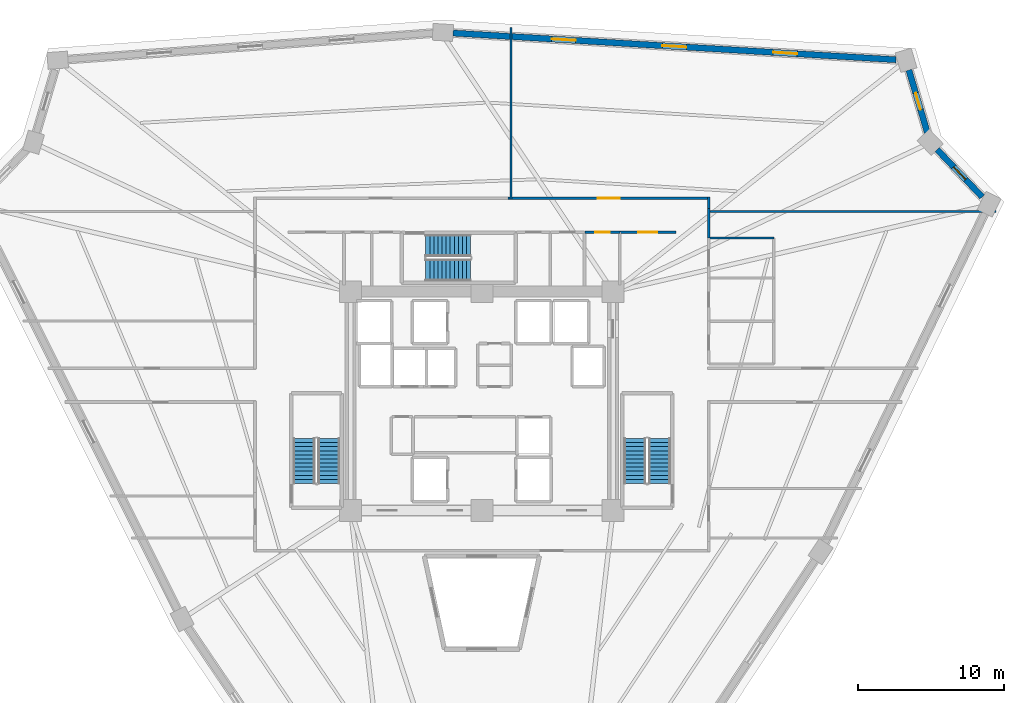
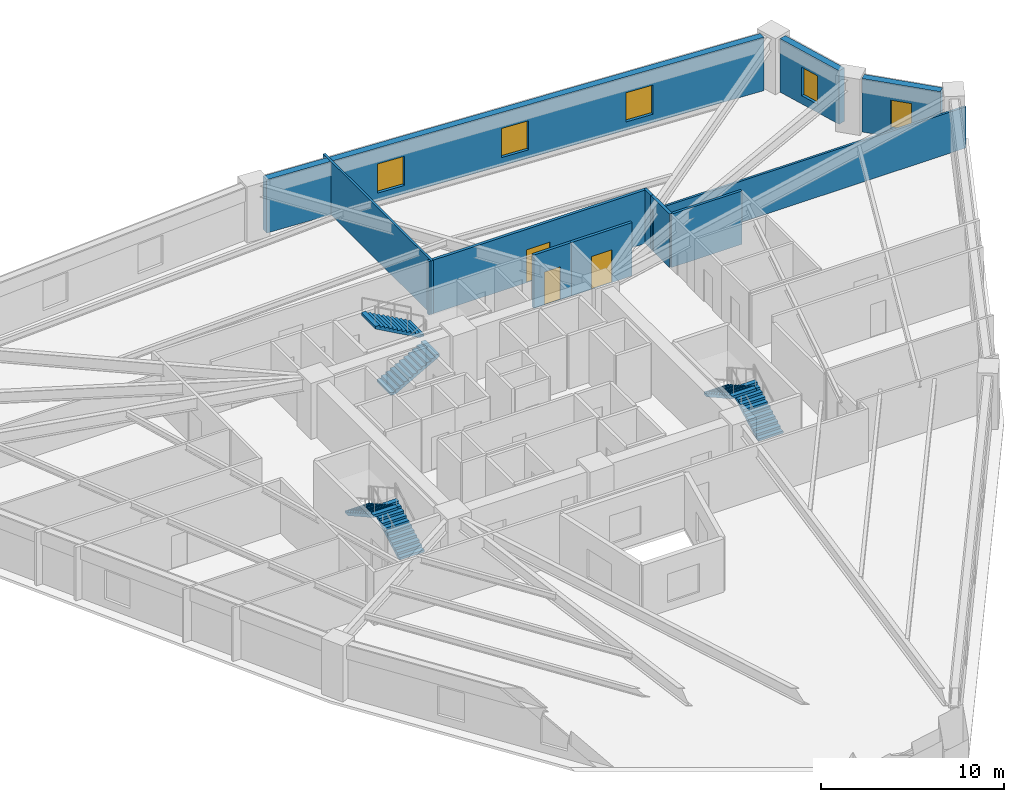
# One storey, part 7 of 8: 11 walls, 6 stair flights, 5 windows, 3 doors, 8 openings, 3 elements without a shape of their own.
"""IFC4 building model written with IfcOpenShell, lengths in metres."""

from ifc_helpers import new_model, si_unit, direction, frame, frame_2d, origin, place, context, subcontext, project, spatial, polyline, rectangle, outline, extrude, source, transform, mapped, material, layer, layer_set, type_object, element, fill, aggregate, save


model = new_model("IFC4")

# Units and contexts
model_context = context("Model", 3, precision=1e-05, world=origin(), true_north=direction((0.0, 1.0)))
body_context = subcontext(model_context, "Body", "Model", "MODEL_VIEW")
ifc_project = project(units=[si_unit("LENGTHUNIT", "METRE"), si_unit("AREAUNIT", "SQUARE_METRE"), si_unit("VOLUMEUNIT", "CUBIC_METRE"), si_unit("PLANEANGLEUNIT", "RADIAN"), si_unit("MASSUNIT", "GRAM", prefix="KILO")], contexts=[model_context])

# Site, building, storey
site_placement = place(None, origin())
site = spatial("IfcSite", under=ifc_project, at=site_placement, CompositionType="ELEMENT")
building_placement = place(site_placement, origin())
building = spatial("IfcBuilding", under=site, at=building_placement, Name="Liaohun Quay Tower", CompositionType="ELEMENT")
storey_placement = place(building_placement, frame((0.0, 0.0, 174.0)))
storey = spatial("IfcBuildingStorey", under=building, at=storey_placement, Name="L45", CompositionType="ELEMENT", Elevation=174.0)

# Wall, opening, window
ifc_material_1 = material(Name="Precast concrete C50 insulated sandwich", Category="concrete")
ifc_layer_1 = layer(ifc_material_1, 0.419921875, Name="Precast concrete C50 insulated sandwich", Category="concrete")
ifc_layer_set_1 = layer_set([ifc_layer_1], Name="Precast concrete C50 insulated sandwich")
wall_type_1 = type_object("IfcWallType", Name="WAL-EXT-Z12", PredefinedType="SOLIDWALL", material=ifc_layer_set_1)
wall_1_placement = place(storey_placement, frame((94.31103515625, 68.0029296875, 0.0), z_axis=(0.0, 0.0, 1.0), x_axis=(-0.689155878993, 0.724613120534, 0.0)))
wall_1 = element("IfcWall", 1, at=wall_1_placement, inside=storey, type_object=wall_type_1, Name="L45 Brutalist Precast Pier Wall 04", PredefinedType="SOLIDWALL", context=body_context, shape_type="SweptSolid", body=[
    extrude(rectangle(XDim=4.482421875, YDim=0.419921875, at=frame_2d((2.2412109375, 0.0))), origin(), (0.0, 0.0, 1.0), 3.570068359375),
])
shared_shape_1 = source(origin(), body_context, "Body", "SweptSolid", [
    extrude(rectangle(XDim=1.199951171875, YDim=1.89990234375, at=frame_2d((0.60009765625, 0.949951171875))), frame((0.0, 0.219970703125, 0.0), z_axis=(0.0, -1.0, 0.0), x_axis=(1.0, 0.0, 0.0)), (0.0, 0.0, 1.0), 0.43994140625),
])
opening_1_placement = place(wall_1_placement, frame((1.64111328125, 0.0, 0.550048828125)))
opening_1 = element("IfcOpeningElement", 2, at=opening_1_placement, cuts=wall_1, Name="Opening W05", PredefinedType="OPENING", context=body_context, shape_type="MappedRepresentation", body=[
    mapped(shared_shape_1, transform((0.0, 0.0, 0.0), x_axis=(1.0, 0.0, 0.0), y_axis=(0.0, 1.0, 0.0), z_axis=(0.0, 0.0, 1.0), scale=1.0)),
])
ifc_material_2 = material(Name="Triple Low-E corner notch glazing", Category="glass")
window_type_1 = type_object("IfcWindowType", Name="WIN-NOTCH", PartitioningType="SINGLE_PANEL", PredefinedType="WINDOW", material=ifc_material_2)
shared_shape_2 = source(origin(), body_context, "Body", "SweptSolid", [
    extrude(rectangle(XDim=1.199951171875, YDim=1.89990234375, at=frame_2d((0.60009765625, 0.949951171875))), frame((0.0, 0.030029296875, 0.0), z_axis=(0.0, -1.0, 0.0), x_axis=(1.0, 0.0, 0.0)), (0.0, 0.0, 1.0), 0.06005859375),
])
window_1_placement = place(opening_1_placement, origin())
window_1 = element("IfcWindow", 3, at=window_1_placement, inside=storey, type_object=window_type_1, Name="L45 Corner Notch Window W05-04", OverallHeight=1.89990234375, OverallWidth=1.199951171875, PartitioningType="SINGLE_PANEL", PredefinedType="WINDOW", context=body_context, shape_type="MappedRepresentation", body=[
    mapped(shared_shape_2, transform((0.0, 0.0, 0.0), x_axis=(1.0, 0.0, 0.0), y_axis=(0.0, 1.0, 0.0), z_axis=(0.0, 0.0, 1.0), scale=1.0)),
])
fill(opening_1, window_1)

wall_2_placement = place(storey_placement, frame((90.551025390625, 72.4130859375, 0.0), z_axis=(0.0, 0.0, 1.0), x_axis=(-0.28308162585, 0.959095820607, 0.0)))
wall_2 = element("IfcWall", 4, at=wall_2_placement, inside=storey, type_object=wall_type_1, Name="L45 Brutalist Precast Pier Wall 05", PredefinedType="SOLIDWALL", context=body_context, shape_type="SweptSolid", body=[
    extrude(rectangle(XDim=4.47607421875, YDim=0.419921875, at=frame_2d((2.238037109375, 0.0))), origin(), (0.0, 0.0, 1.0), 3.570068359375),
])
opening_2_placement = place(wall_2_placement, frame((1.637939453125, 0.0, 0.550048828125)))
opening_2 = element("IfcOpeningElement", 5, at=opening_2_placement, cuts=wall_2, Name="Opening W05", PredefinedType="OPENING", context=body_context, shape_type="MappedRepresentation", body=[
    mapped(shared_shape_1, transform((0.0, 0.0, 0.0), x_axis=(1.0, 0.0, 0.0), y_axis=(0.0, 1.0, 0.0), z_axis=(0.0, 0.0, 1.0), scale=1.0)),
])
window_2_placement = place(opening_2_placement, origin())
window_2 = element("IfcWindow", 6, at=window_2_placement, inside=storey, type_object=window_type_1, Name="L45 Corner Notch Window W05-05", OverallHeight=1.89990234375, OverallWidth=1.199951171875, PartitioningType="SINGLE_PANEL", PredefinedType="WINDOW", context=body_context, shape_type="MappedRepresentation", body=[
    mapped(shared_shape_2, transform((0.0, 0.0, 0.0), x_axis=(1.0, 0.0, 0.0), y_axis=(0.0, 1.0, 0.0), z_axis=(0.0, 0.0, 1.0), scale=1.0)),
])
fill(opening_2, window_2)

# Wall, openings, windows
wall_3_placement = place(storey_placement, frame((88.39990234375, 77.409912109375, 0.0), z_axis=(0.0, 0.0, 1.0), x_axis=(-0.998188812237, 0.060158915591, 0.0)))
wall_3 = element("IfcWall", 7, at=wall_3_placement, inside=storey, type_object=wall_type_1, Name="L45 Brutalist Precast Pier Wall 06", PredefinedType="SOLIDWALL", context=body_context, shape_type="SweptSolid", body=[
    extrude(rectangle(XDim=30.43701171875, YDim=0.419921875, at=frame_2d((15.218505859375, 0.0))), origin(), (0.0, 0.0, 1.0), 3.570068359375),
])
shared_shape_3 = source(origin(), body_context, "Body", "SweptSolid", [
    extrude(rectangle(XDim=1.64990234375, YDim=1.949951171875, at=frame_2d((0.824951171875, 0.97509765625))), frame((0.0, 0.219970703125, 0.0), z_axis=(0.0, -1.0, 0.0), x_axis=(1.0, 0.0, 0.0)), (0.0, 0.0, 1.0), 0.43994140625),
])
opening_3_placement = place(wall_3_placement, frame((6.783935546875, 0.0, 0.550048828125)))
opening_3 = element("IfcOpeningElement", 8, at=opening_3_placement, cuts=wall_3, Name="Opening W02", PredefinedType="OPENING", context=body_context, shape_type="MappedRepresentation", body=[
    mapped(shared_shape_3, transform((0.0, 0.0, 0.0), x_axis=(1.0, 0.0, 0.0), y_axis=(0.0, 1.0, 0.0), z_axis=(0.0, 0.0, 1.0), scale=1.0)),
])
opening_4_placement = place(wall_3_placement, frame((14.39404296875, 0.0, 0.550048828125)))
opening_4 = element("IfcOpeningElement", 9, at=opening_4_placement, cuts=wall_3, Name="Opening W02", PredefinedType="OPENING", context=body_context, shape_type="MappedRepresentation", body=[
    mapped(shared_shape_3, transform((0.0, 0.0, 0.0), x_axis=(1.0, 0.0, 0.0), y_axis=(0.0, 1.0, 0.0), z_axis=(0.0, 0.0, 1.0), scale=1.0)),
])
opening_5_placement = place(wall_3_placement, frame((22.0029296875, 0.0, 0.550048828125)))
opening_5 = element("IfcOpeningElement", 10, at=opening_5_placement, cuts=wall_3, Name="Opening W02", PredefinedType="OPENING", context=body_context, shape_type="MappedRepresentation", body=[
    mapped(shared_shape_3, transform((0.0, 0.0, 0.0), x_axis=(1.0, 0.0, 0.0), y_axis=(0.0, 1.0, 0.0), z_axis=(0.0, 0.0, 1.0), scale=1.0)),
])
ifc_material_3 = material(Name="Triple Low-E argon glazing in thermally broken aluminium", Category="aluminium")
window_type_2 = type_object("IfcWindowType", Name="WIN-PUN-Z2", PartitioningType="DOUBLE_PANEL_VERTICAL", PredefinedType="WINDOW", material=ifc_material_3)
shared_shape_4 = source(origin(), body_context, "Body", "SweptSolid", [
    extrude(rectangle(XDim=1.64990234375, YDim=1.949951171875, at=frame_2d((0.824951171875, 0.97509765625))), frame((0.0, 0.030029296875, 0.0), z_axis=(0.0, -1.0, 0.0), x_axis=(1.0, 0.0, 0.0)), (0.0, 0.0, 1.0), 0.06005859375),
])
window_3_placement = place(opening_3_placement, origin())
window_3 = element("IfcWindow", 11, at=window_3_placement, inside=storey, type_object=window_type_2, Name="L45 Recessed Cold-Climate Punched Window 06-1", OverallHeight=1.949951171875, OverallWidth=1.64990234375, PartitioningType="DOUBLE_PANEL_VERTICAL", PredefinedType="WINDOW", context=body_context, shape_type="MappedRepresentation", body=[
    mapped(shared_shape_4, transform((0.0, 0.0, 0.0), x_axis=(1.0, 0.0, 0.0), y_axis=(0.0, 1.0, 0.0), z_axis=(0.0, 0.0, 1.0), scale=1.0)),
])
fill(opening_3, window_3)
window_4_placement = place(opening_4_placement, origin())
window_4 = element("IfcWindow", 12, at=window_4_placement, inside=storey, type_object=window_type_2, Name="L45 Recessed Cold-Climate Punched Window 06-2", OverallHeight=1.949951171875, OverallWidth=1.64990234375, PartitioningType="DOUBLE_PANEL_VERTICAL", PredefinedType="WINDOW", context=body_context, shape_type="MappedRepresentation", body=[
    mapped(shared_shape_4, transform((0.0, 0.0, 0.0), x_axis=(1.0, 0.0, 0.0), y_axis=(0.0, 1.0, 0.0), z_axis=(0.0, 0.0, 1.0), scale=1.0)),
])
fill(opening_4, window_4)
window_5_placement = place(opening_5_placement, origin())
window_5 = element("IfcWindow", 13, at=window_5_placement, inside=storey, type_object=window_type_2, Name="L45 Recessed Cold-Climate Punched Window 06-3", OverallHeight=1.949951171875, OverallWidth=1.64990234375, PartitioningType="DOUBLE_PANEL_VERTICAL", PredefinedType="WINDOW", context=body_context, shape_type="MappedRepresentation", body=[
    mapped(shared_shape_4, transform((0.0, 0.0, 0.0), x_axis=(1.0, 0.0, 0.0), y_axis=(0.0, 1.0, 0.0), z_axis=(0.0, 0.0, 1.0), scale=1.0)),
])
fill(opening_5, window_5)

# Wall, opening, door
ifc_material_4 = material(Name="Autoclaved aerated concrete blockwork", Category="masonry")
ifc_layer_2 = layer(ifc_material_4, 0.179931640625, Name="Autoclaved aerated concrete blockwork", Category="masonry")
ifc_layer_set_2 = layer_set([ifc_layer_2], Name="Autoclaved aerated concrete blockwork")
wall_type_2 = type_object("IfcWallType", Name="WAL-PRT-COR", PredefinedType="PARTITIONING", material=ifc_layer_set_2)
wall_4_placement = place(storey_placement, frame((67.080078125, 65.580078125, 0.0), z_axis=(0.0, 0.0, 1.0), x_axis=(1.0, 0.0, 0.0)))
wall_4 = element("IfcWall", 14, at=wall_4_placement, inside=storey, type_object=wall_type_2, Name="L45 Interior Partition Wall 012", PredefinedType="PARTITIONING", context=body_context, shape_type="SweptSolid", body=[
    extrude(rectangle(XDim=2.3798828125, YDim=0.179931640625, at=frame_2d((1.18994140625, 0.0))), origin(), (0.0, 0.0, 1.0), 3.570068359375),
])
shared_shape_5 = source(origin(), body_context, "Body", "SweptSolid", [
    extrude(rectangle(XDim=1.0, YDim=2.199951171875, at=frame_2d((0.5, 1.10009765625))), frame((0.0, 0.099853515625, 0.0), z_axis=(0.0, -1.0, 0.0), x_axis=(1.0, 0.0, 0.0)), (0.0, 0.0, 1.0), 0.199951171875),
])
opening_6_placement = place(wall_4_placement, frame((0.68994140625, 0.0, 0.0)))
opening_6 = element("IfcOpeningElement", 15, at=opening_6_placement, cuts=wall_4, Name="Opening OD1", PredefinedType="OPENING", context=body_context, shape_type="MappedRepresentation", body=[
    mapped(shared_shape_5, transform((0.0, 0.0, 0.0), x_axis=(1.0, 0.0, 0.0), y_axis=(0.0, 1.0, 0.0), z_axis=(0.0, 0.0, 1.0), scale=1.0)),
])
ifc_material_5 = material(Name="Solid-core oak veneer timber leaf in steel frame", Category="steel")
door_type_1 = type_object("IfcDoorType", Name="DOR-OFF-1000", OperationType="NOTDEFINED", PredefinedType="DOOR", material=ifc_material_5)
shared_shape_6 = source(origin(), body_context, "Body", "SweptSolid", [
    extrude(rectangle(XDim=1.0, YDim=2.199951171875, at=frame_2d((0.5, 1.10009765625))), frame((0.0, 0.02490234375, 0.0), z_axis=(0.0, -1.0, 0.0), x_axis=(1.0, 0.0, 0.0)), (0.0, 0.0, 1.0), 0.050048828125),
])
door_1_placement = place(opening_6_placement, origin())
door_1 = element("IfcDoor", 16, at=door_1_placement, inside=storey, type_object=door_type_1, Name="L45 North-East Cleaner Store Door", OperationType="SINGLE_SWING_LEFT", OverallHeight=2.199951171875, OverallWidth=1.0, PredefinedType="DOOR", context=body_context, shape_type="MappedRepresentation", body=[
    mapped(shared_shape_6, transform((0.0, 0.0, 0.0), x_axis=(1.0, 0.0, 0.0), y_axis=(0.0, 1.0, 0.0), z_axis=(0.0, 0.0, 1.0), scale=1.0)),
])
fill(opening_6, door_1)

wall_5_placement = place(storey_placement, frame((69.4599609375, 65.580078125, 0.0), z_axis=(0.0, 0.0, 1.0), x_axis=(1.0, 0.0, 0.0)))
wall_5 = element("IfcWall", 17, at=wall_5_placement, inside=storey, type_object=wall_type_2, Name="L45 Interior Partition Wall 014", PredefinedType="PARTITIONING", context=body_context, shape_type="SweptSolid", body=[
    extrude(rectangle(XDim=3.840087890625, YDim=0.179931640625, at=frame_2d((1.919921875, 0.0))), origin(), (0.0, 0.0, 1.0), 3.570068359375),
])
shared_shape_7 = source(origin(), body_context, "Body", "SweptSolid", [
    extrude(rectangle(XDim=1.300048828125, YDim=2.199951171875, at=frame_2d((0.64990234375, 1.10009765625))), frame((0.0, 0.099853515625, 0.0), z_axis=(0.0, -1.0, 0.0), x_axis=(1.0, 0.0, 0.0)), (0.0, 0.0, 1.0), 0.199951171875),
])
opening_7_placement = place(wall_5_placement, frame((1.27001953125, 0.0, 0.0)))
opening_7 = element("IfcOpeningElement", 18, at=opening_7_placement, cuts=wall_5, Name="Opening FD1", PredefinedType="OPENING", context=body_context, shape_type="MappedRepresentation", body=[
    mapped(shared_shape_7, transform((0.0, 0.0, 0.0), x_axis=(1.0, 0.0, 0.0), y_axis=(0.0, 1.0, 0.0), z_axis=(0.0, 0.0, 1.0), scale=1.0)),
])
ifc_material_6 = material(Name="Galvanised steel smokeproof fire door", Category="steel")
door_type_2 = type_object("IfcDoorType", Name="DOR-FFL-1300", OperationType="NOTDEFINED", PredefinedType="DOOR", material=ifc_material_6)
shared_shape_8 = source(origin(), body_context, "Body", "SweptSolid", [
    extrude(rectangle(XDim=1.300048828125, YDim=2.199951171875, at=frame_2d((0.64990234375, 1.10009765625))), frame((0.0, 0.02490234375, 0.0), z_axis=(0.0, -1.0, 0.0), x_axis=(1.0, 0.0, 0.0)), (0.0, 0.0, 1.0), 0.050048828125),
])
door_2_placement = place(opening_7_placement, origin())
door_2 = element("IfcDoor", 19, at=door_2_placement, inside=storey, type_object=door_type_2, Name="L45 East Core Vestibule Door", OperationType="SINGLE_SWING_LEFT", OverallHeight=2.199951171875, OverallWidth=1.300048828125, PredefinedType="DOOR", context=body_context, shape_type="MappedRepresentation", body=[
    mapped(shared_shape_8, transform((0.0, 0.0, 0.0), x_axis=(1.0, 0.0, 0.0), y_axis=(0.0, 1.0, 0.0), z_axis=(0.0, 0.0, 1.0), scale=1.0)),
])
fill(opening_7, door_2)

wall_6_placement = place(storey_placement, frame((61.784912109375, 67.909912109375, 0.0), z_axis=(0.0, 0.0, 1.0), x_axis=(1.0, 0.0, 0.0)))
wall_6 = element("IfcWall", 20, at=wall_6_placement, inside=storey, type_object=wall_type_2, Name="L45 Interior Partition Wall 016", PredefinedType="PARTITIONING", context=body_context, shape_type="SweptSolid", body=[
    extrude(rectangle(XDim=13.844970703125, YDim=0.179931640625, at=frame_2d((6.92236328125, 0.0))), origin(), (0.0, 0.0, 1.0), 3.570068359375),
])
shared_shape_9 = source(origin(), body_context, "Body", "SweptSolid", [
    extrude(rectangle(XDim=1.5, YDim=2.199951171875, at=frame_2d((0.75, 1.10009765625))), frame((0.0, 0.099853515625, 0.0), z_axis=(0.0, -1.0, 0.0), x_axis=(1.0, 0.0, 0.0)), (0.0, 0.0, 1.0), 0.199951171875),
])
opening_8_placement = place(wall_6_placement, frame((6.172119140625, 0.0, 0.0)))
opening_8 = element("IfcOpeningElement", 21, at=opening_8_placement, cuts=wall_6, Name="Opening OD2", PredefinedType="OPENING", context=body_context, shape_type="MappedRepresentation", body=[
    mapped(shared_shape_9, transform((0.0, 0.0, 0.0), x_axis=(1.0, 0.0, 0.0), y_axis=(0.0, 1.0, 0.0), z_axis=(0.0, 0.0, 1.0), scale=1.0)),
])
ifc_material_7 = material(Name="Acoustic oak veneer double door")
door_type_3 = type_object("IfcDoorType", Name="DOR-OFF-1500", OperationType="DOUBLE_DOOR_SINGLE_SWING", PredefinedType="DOOR", material=ifc_material_7)
shared_shape_10 = source(origin(), body_context, "Body", "SweptSolid", [
    extrude(rectangle(XDim=1.5, YDim=2.199951171875, at=frame_2d((0.75, 1.10009765625))), frame((0.0, 0.02490234375, 0.0), z_axis=(0.0, -1.0, 0.0), x_axis=(1.0, 0.0, 0.0)), (0.0, 0.0, 1.0), 0.050048828125),
])
door_3_placement = place(opening_8_placement, origin())
door_3 = element("IfcDoor", 22, at=door_3_placement, inside=storey, type_object=door_type_3, Name="L45 Corporate Exhibition Gallery 02 Door", OperationType="DOUBLE_DOOR_SINGLE_SWING", OverallHeight=2.199951171875, OverallWidth=1.5, PredefinedType="DOOR", context=body_context, shape_type="MappedRepresentation", body=[
    mapped(shared_shape_10, transform((0.0, 0.0, 0.0), x_axis=(1.0, 0.0, 0.0), y_axis=(0.0, 1.0, 0.0), z_axis=(0.0, 0.0, 1.0), scale=1.0)),
])
fill(opening_8, door_3)

# Walls
wall_7_placement = place(storey_placement, frame((75.56005859375, 67.215087890625, 0.0), z_axis=(0.0, 0.0, 1.0), x_axis=(0.0, -1.0, 0.0)))
element("IfcWall", 23, at=wall_7_placement, inside=storey, type_object=wall_type_2, Name="L45 Interior Partition Wall 041", PredefinedType="PARTITIONING", context=body_context, shape_type="SweptSolid", body=[
    extrude(rectangle(XDim=2.03515625, YDim=0.179931640625, at=frame_2d((1.017578125, 0.0))), origin(), (0.0, 0.0, 1.0), 3.570068359375),
])
wall_8_placement = place(storey_placement, frame((75.56005859375, 67.97998046875, 0.0), z_axis=(0.0, 0.0, 1.0), x_axis=(0.0, -1.0, 0.0)))
element("IfcWall", 24, at=wall_8_placement, inside=storey, type_object=wall_type_2, Name="L45 Interior Partition Wall 042", PredefinedType="PARTITIONING", context=body_context, shape_type="SweptSolid", body=[
    extrude(rectangle(XDim=0.764892578125, YDim=0.179931640625, at=frame_2d((0.38232421875, 0.0))), origin(), (0.0, 0.0, 1.0), 3.570068359375),
])
ifc_material_8 = material(Name="Gypsum board on twin steel studs", Category="steel")
ifc_layer_3 = layer(ifc_material_8, 0.139892578125, Name="Gypsum board on twin steel studs", Category="steel")
ifc_layer_set_3 = layer_set([ifc_layer_3], Name="Gypsum board on twin steel studs")
wall_type_3 = type_object("IfcWallType", Name="WAL-PRT-OFF", PredefinedType="PARTITIONING", material=ifc_layer_set_3)
wall_9_placement = place(storey_placement, frame((75.4599609375, 67.0, 0.0), z_axis=(0.0, 0.0, 1.0), x_axis=(1.0, 0.0, 0.0)))
element("IfcWall", 25, at=wall_9_placement, inside=storey, type_object=wall_type_3, Name="L45 Interior Partition Wall 055", PredefinedType="PARTITIONING", context=body_context, shape_type="SweptSolid", body=[
    extrude(rectangle(XDim=19.783935546875, YDim=0.139892578125, at=frame_2d((9.89208984375, 0.0))), origin(), (0.0, 0.0, 1.0), 2.7548828125),
])
wall_10_placement = place(storey_placement, frame((62.0, 67.81005859375, 0.0), z_axis=(0.0, 0.0, 1.0), x_axis=(0.0, 1.0, 0.0)))
element("IfcWall", 26, at=wall_10_placement, inside=storey, type_object=wall_type_3, Name="L45 Interior Partition Wall 056", PredefinedType="PARTITIONING", context=body_context, shape_type="SweptSolid", body=[
    extrude(rectangle(XDim=11.822998046875, YDim=0.139892578125, at=frame_2d((5.91162109375, 0.0))), origin(), (0.0, 0.0, 1.0), 3.570068359375),
])
ifc_material_9 = material(Name="Moisture-resistant masonry blockwork", Category="masonry")
ifc_layer_4 = layer(ifc_material_9, 0.159912109375, Name="Moisture-resistant masonry blockwork", Category="masonry")
ifc_layer_set_4 = layer_set([ifc_layer_4], Name="Moisture-resistant masonry blockwork")
wall_type_4 = type_object("IfcWallType", Name="WAL-PRT-WET", PredefinedType="PARTITIONING", material=ifc_layer_set_4)
wall_11_placement = place(storey_placement, frame((75.56005859375, 65.179931640625, 0.0), z_axis=(0.0, 0.0, 1.0), x_axis=(1.0, 0.0, 0.0)))
element("IfcWall", 27, at=wall_11_placement, inside=storey, type_object=wall_type_4, Name="L45 Interior Partition Wall 035", PredefinedType="PARTITIONING", context=body_context, shape_type="SweptSolid", body=[
    extrude(rectangle(XDim=4.4599609375, YDim=0.159912109375, at=frame_2d((2.22998046875, 0.0))), origin(), (0.0, 0.0, 1.0), 3.570068359375),
])

# Stair, stair flights
ifc_material_10 = material(Name="Concrete C45", Category="concrete")
stair_type = type_object("IfcStairType", Name="STR-CORE-OFF", PredefinedType="HALF_TURN_STAIR", material=ifc_material_10)
stair_1_placement = place(storey_placement, origin())
stair_1 = element("IfcStair", 28, at=stair_1_placement, inside=storey, type_object=stair_type, Name="L45 Smokeproof Core Exit Stair ST-1", PredefinedType="HALF_TURN_STAIR")
stair_flight_type = type_object("IfcStairFlightType", Name="FLT-CORE-155", PredefinedType="STRAIGHT", material=ifc_material_10)
stair_flight_1_placement = place(storey_placement, frame((49.5048828125, 48.35009765625, 0.0), z_axis=(0.0, 0.0, 1.0), x_axis=(0.0, 1.0, 0.0)))
stair_flight_1 = element("IfcStairFlight", 29, at=stair_flight_1_placement, type_object=stair_flight_type, Name="ST-1 flight 1", NumberOfRisers=12, NumberOfTreads=11, PredefinedType="STRAIGHT", RiserHeight=0.15625, TreadLength=0.28, context=body_context, shape_type="SweptSolid", body=[
    extrude(outline(polyline([(0.0, 0.0), (0.0, 0.15625), (0.280029296875, 0.15625), (0.280029296875, 0.3125), (0.56005859375, 0.3125), (0.56005859375, 0.46875), (0.840087890625, 0.46875), (0.840087890625, 0.625), (1.1201171875, 0.625), (1.1201171875, 0.78125), (1.39990234375, 0.78125), (1.39990234375, 0.9375), (1.679931640625, 0.9375), (1.679931640625, 1.09375), (1.9599609375, 1.09375), (1.9599609375, 1.25), (2.239990234375, 1.25), (2.239990234375, 1.40625), (2.52001953125, 1.40625), (2.52001953125, 1.5625), (2.800048828125, 1.5625), (2.800048828125, 1.71875), (3.080078125, 1.71875), (3.080078125, 1.875), (3.080078125, 1.547119140625), (0.3076171875, 0.0), (0.0, 0.0)])), frame((0.0, 0.77490234375, 0.0), z_axis=(0.0, -1.0, 0.0), x_axis=(1.0, 0.0, 0.0)), (0.0, 0.0, 1.0), 1.550048828125),
])
stair_flight_2_placement = place(storey_placement, frame((47.81494140625, 51.429931640625, 1.875), z_axis=(0.0, 0.0, 1.0), x_axis=(0.0, -1.0, 0.0)))
stair_flight_2 = element("IfcStairFlight", 30, at=stair_flight_2_placement, type_object=stair_flight_type, Name="ST-1 flight 2", NumberOfRisers=12, NumberOfTreads=11, PredefinedType="STRAIGHT", RiserHeight=0.15625, TreadLength=0.28, context=body_context, shape_type="SweptSolid", body=[
    extrude(outline(polyline([(0.0, 0.0), (0.0, 0.15625), (0.280029296875, 0.15625), (0.280029296875, 0.3125), (0.56005859375, 0.3125), (0.56005859375, 0.46875), (0.840087890625, 0.46875), (0.840087890625, 0.625), (1.1201171875, 0.625), (1.1201171875, 0.78125), (1.39990234375, 0.78125), (1.39990234375, 0.9375), (1.679931640625, 0.9375), (1.679931640625, 1.09375), (1.9599609375, 1.09375), (1.9599609375, 1.25), (2.239990234375, 1.25), (2.239990234375, 1.40625), (2.52001953125, 1.40625), (2.52001953125, 1.5625), (2.800048828125, 1.5625), (2.800048828125, 1.71875), (3.080078125, 1.71875), (3.080078125, 1.875), (3.080078125, 1.547119140625), (0.3076171875, 0.0), (0.0, 0.0)])), frame((0.0, 0.77490234375, 0.0), z_axis=(0.0, -1.0, 0.0), x_axis=(1.0, 0.0, 0.0)), (0.0, 0.0, 1.0), 1.550048828125),
])
aggregate(stair_1, [stair_flight_1, stair_flight_2])

stair_2_placement = place(storey_placement, origin())
stair_2 = element("IfcStair", 31, at=stair_2_placement, inside=storey, type_object=stair_type, Name="L45 Smokeproof Core Exit Stair ST-2", PredefinedType="HALF_TURN_STAIR")
stair_flight_3_placement = place(storey_placement, frame((72.18505859375, 48.35009765625, 0.0), z_axis=(0.0, 0.0, 1.0), x_axis=(0.0, 1.0, 0.0)))
stair_flight_3 = element("IfcStairFlight", 32, at=stair_flight_3_placement, type_object=stair_flight_type, Name="ST-2 flight 1", NumberOfRisers=12, NumberOfTreads=11, PredefinedType="STRAIGHT", RiserHeight=0.15625, TreadLength=0.28, context=body_context, shape_type="SweptSolid", body=[
    extrude(outline(polyline([(0.0, 0.0), (0.0, 0.15625), (0.280029296875, 0.15625), (0.280029296875, 0.3125), (0.56005859375, 0.3125), (0.56005859375, 0.46875), (0.840087890625, 0.46875), (0.840087890625, 0.625), (1.1201171875, 0.625), (1.1201171875, 0.78125), (1.39990234375, 0.78125), (1.39990234375, 0.9375), (1.679931640625, 0.9375), (1.679931640625, 1.09375), (1.9599609375, 1.09375), (1.9599609375, 1.25), (2.239990234375, 1.25), (2.239990234375, 1.40625), (2.52001953125, 1.40625), (2.52001953125, 1.5625), (2.800048828125, 1.5625), (2.800048828125, 1.71875), (3.080078125, 1.71875), (3.080078125, 1.875), (3.080078125, 1.547119140625), (0.3076171875, 0.0), (0.0, 0.0)])), frame((0.0, 0.77490234375, 0.0), z_axis=(0.0, -1.0, 0.0), x_axis=(1.0, 0.0, 0.0)), (0.0, 0.0, 1.0), 1.550048828125),
])
stair_flight_4_placement = place(storey_placement, frame((70.4951171875, 51.429931640625, 1.875), z_axis=(0.0, 0.0, 1.0), x_axis=(0.0, -1.0, 0.0)))
stair_flight_4 = element("IfcStairFlight", 33, at=stair_flight_4_placement, type_object=stair_flight_type, Name="ST-2 flight 2", NumberOfRisers=12, NumberOfTreads=11, PredefinedType="STRAIGHT", RiserHeight=0.15625, TreadLength=0.28, context=body_context, shape_type="SweptSolid", body=[
    extrude(outline(polyline([(0.0, 0.0), (0.0, 0.15625), (0.280029296875, 0.15625), (0.280029296875, 0.3125), (0.56005859375, 0.3125), (0.56005859375, 0.46875), (0.840087890625, 0.46875), (0.840087890625, 0.625), (1.1201171875, 0.625), (1.1201171875, 0.78125), (1.39990234375, 0.78125), (1.39990234375, 0.9375), (1.679931640625, 0.9375), (1.679931640625, 1.09375), (1.9599609375, 1.09375), (1.9599609375, 1.25), (2.239990234375, 1.25), (2.239990234375, 1.40625), (2.52001953125, 1.40625), (2.52001953125, 1.5625), (2.800048828125, 1.5625), (2.800048828125, 1.71875), (3.080078125, 1.71875), (3.080078125, 1.875), (3.080078125, 1.547119140625), (0.3076171875, 0.0), (0.0, 0.0)])), frame((0.0, 0.77490234375, 0.0), z_axis=(0.0, -1.0, 0.0), x_axis=(1.0, 0.0, 0.0)), (0.0, 0.0, 1.0), 1.550048828125),
])
aggregate(stair_2, [stair_flight_3, stair_flight_4])

stair_3_placement = place(storey_placement, origin())
stair_3 = element("IfcStair", 34, at=stair_3_placement, inside=storey, type_object=stair_type, Name="L45 Smokeproof Core Exit Stair ST-3", PredefinedType="HALF_TURN_STAIR")
stair_flight_5_placement = place(storey_placement, frame((56.14990234375, 62.97509765625, 0.0), z_axis=(0.0, 0.0, 1.0), x_axis=(1.0, 0.0, 0.0)))
stair_flight_5 = element("IfcStairFlight", 35, at=stair_flight_5_placement, type_object=stair_flight_type, Name="ST-3 flight 1", NumberOfRisers=12, NumberOfTreads=11, PredefinedType="STRAIGHT", RiserHeight=0.15625, TreadLength=0.28, context=body_context, shape_type="SweptSolid", body=[
    extrude(outline(polyline([(0.0, 0.0), (0.0, 0.15625), (0.280029296875, 0.15625), (0.280029296875, 0.3125), (0.56005859375, 0.3125), (0.56005859375, 0.46875), (0.840087890625, 0.46875), (0.840087890625, 0.625), (1.1201171875, 0.625), (1.1201171875, 0.78125), (1.39990234375, 0.78125), (1.39990234375, 0.9375), (1.679931640625, 0.9375), (1.679931640625, 1.09375), (1.9599609375, 1.09375), (1.9599609375, 1.25), (2.239990234375, 1.25), (2.239990234375, 1.40625), (2.52001953125, 1.40625), (2.52001953125, 1.5625), (2.800048828125, 1.5625), (2.800048828125, 1.71875), (3.080078125, 1.71875), (3.080078125, 1.875), (3.080078125, 1.547119140625), (0.3076171875, 0.0), (0.0, 0.0)])), frame((0.0, 0.77490234375, 0.0), z_axis=(0.0, -1.0, 0.0), x_axis=(1.0, 0.0, 0.0)), (0.0, 0.0, 1.0), 1.550048828125),
])
stair_flight_6_placement = place(storey_placement, frame((59.22998046875, 64.6650390625, 1.875), z_axis=(0.0, 0.0, 1.0), x_axis=(-1.0, 0.0, 0.0)))
stair_flight_6 = element("IfcStairFlight", 36, at=stair_flight_6_placement, type_object=stair_flight_type, Name="ST-3 flight 2", NumberOfRisers=12, NumberOfTreads=11, PredefinedType="STRAIGHT", RiserHeight=0.15625, TreadLength=0.28, context=body_context, shape_type="SweptSolid", body=[
    extrude(outline(polyline([(0.0, 0.0), (0.0, 0.15625), (0.280029296875, 0.15625), (0.280029296875, 0.3125), (0.56005859375, 0.3125), (0.56005859375, 0.46875), (0.840087890625, 0.46875), (0.840087890625, 0.625), (1.1201171875, 0.625), (1.1201171875, 0.78125), (1.39990234375, 0.78125), (1.39990234375, 0.9375), (1.679931640625, 0.9375), (1.679931640625, 1.09375), (1.9599609375, 1.09375), (1.9599609375, 1.25), (2.239990234375, 1.25), (2.239990234375, 1.40625), (2.52001953125, 1.40625), (2.52001953125, 1.5625), (2.800048828125, 1.5625), (2.800048828125, 1.71875), (3.080078125, 1.71875), (3.080078125, 1.875), (3.080078125, 1.547119140625), (0.3076171875, 0.0), (0.0, 0.0)])), frame((0.0, 0.77490234375, 0.0), z_axis=(0.0, -1.0, 0.0), x_axis=(1.0, 0.0, 0.0)), (0.0, 0.0, 1.0), 1.550048828125),
])
aggregate(stair_3, [stair_flight_5, stair_flight_6])

save(model, "model.ifc")
